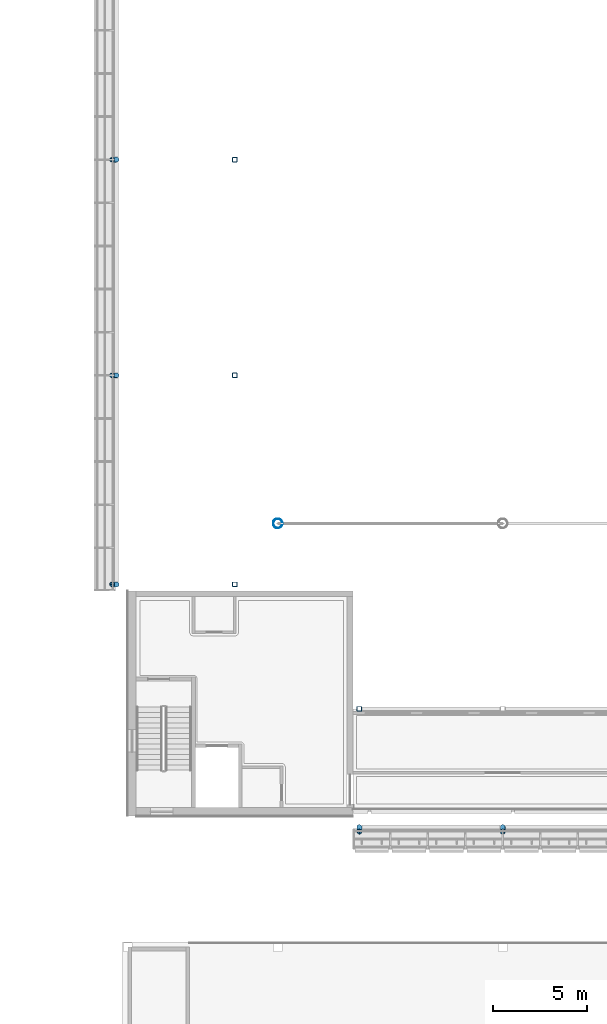
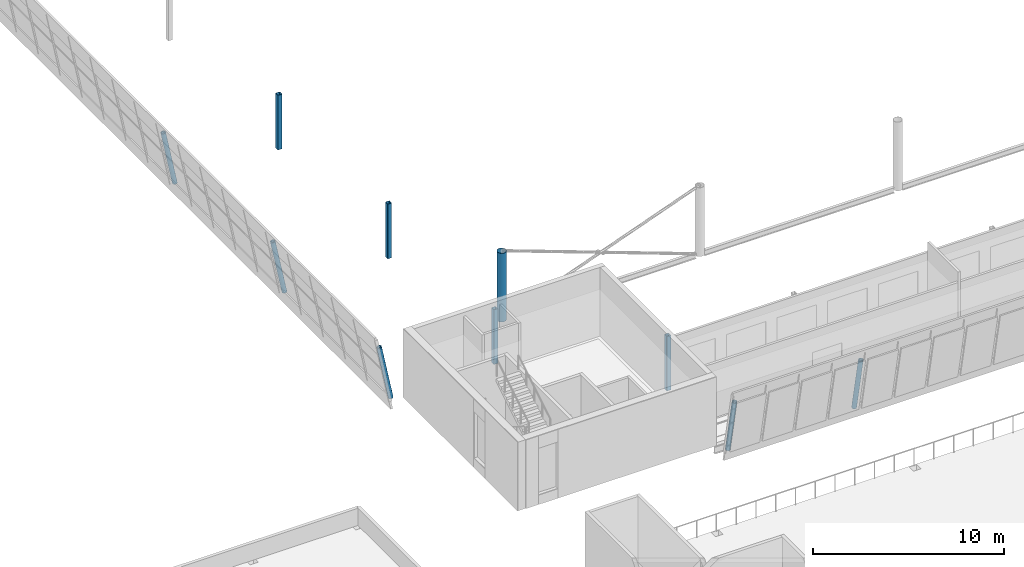
# One storey, part 1 of 95: 10 columns.
"""IFC4 building model written with IfcOpenShell, lengths in metres."""

from ifc_helpers import new_model, si_unit, direction, frame, origin, origin_2d, place, context, subcontext, project, spatial, hollow_rectangle, hollow_circle, extrude, material, material_profile, profile_set, type_object, element, save


model = new_model("IFC4")

# Units and contexts
model_context = context("Model", 3, precision=1e-05, world=origin(), true_north=direction((0.0, 1.0)))
body_context = subcontext(model_context, "Body", "Model", "MODEL_VIEW")
ifc_project = project(units=[si_unit("LENGTHUNIT", "METRE"), si_unit("AREAUNIT", "SQUARE_METRE"), si_unit("VOLUMEUNIT", "CUBIC_METRE"), si_unit("PLANEANGLEUNIT", "RADIAN"), si_unit("MASSUNIT", "GRAM", prefix="KILO")], contexts=[model_context])

# Site, building, storey
site_placement = place(None, origin())
site = spatial("IfcSite", under=ifc_project, at=site_placement, CompositionType="ELEMENT")
building_placement = place(site_placement, origin())
building = spatial("IfcBuilding", under=site, at=building_placement, Name="Windward Yard Aquatics Centre", CompositionType="ELEMENT")
storey_placement = place(building_placement, frame((0.0, 0.0, 9.39990234375)))
storey = spatial("IfcBuildingStorey", under=building, at=storey_placement, Name="L02", CompositionType="ELEMENT", Elevation=9.39990234375)

# Columns
ifc_material = material(Name="Steel ASTM A500 Gr C", Category="steel")
ifc_material_profile_1 = material_profile(ifc_material, hollow_circle(Radius=0.25390625, WallThickness=0.015869140625, at=origin_2d()), Name="HSS508X15.9")
ifc_profile_set_1 = profile_set([ifc_material_profile_1], Name="Steel ASTM A500 Gr C")
column_type_1 = type_object("IfcColumnType", Name="H arch column HSS508X15.9", PredefinedType="COLUMN", material=ifc_profile_set_1)
column_placement = place(storey_placement, frame((60.0, 41.60009765625, 0.0), z_axis=(0.0, 0.0, 1.0), x_axis=(1.0, 0.0, 0.0)))
element("IfcColumn", 1, at=column_placement, inside=storey, type_object=column_type_1, Name="H.AC.S1.L02", PredefinedType="COLUMN", context=body_context, shape_type="SweptSolid", body=[
    extrude(hollow_circle(Radius=0.25390625, WallThickness=0.015869140625, at=origin_2d()), origin(), (0.0, 0.0, 1.0), 4.400146484375),
])
ifc_material_profile_2 = material_profile(ifc_material, hollow_rectangle(XDim=0.25390625, YDim=0.25390625, WallThickness=0.015869140625, InnerFilletRadius=0.008056640625, OuterFilletRadius=0.02392578125, at=origin_2d()), Name="HSS254X254X15.9")
ifc_profile_set_2 = profile_set([ifc_material_profile_2], Name="Steel ASTM A500 Gr C")
column_type_2 = type_object("IfcColumnType", Name="H inner column HSS254X254X15.9", PredefinedType="COLUMN", material=ifc_profile_set_2)
for number, where, z_axis, x_axis, name in (
    (2, (64.35009765625, 31.709716796875, 0.0), (0.0, 0.0, 1.0), (1.0, 0.0, 0.0), "H.IC.S1.L02"),
    (3, (57.709716796875, 38.35009765625, 0.0), (0.0, 0.0, 1.0), (1.0, 0.0, 0.0), "H.IC.W1.L02"),
    (4, (57.709716796875, 49.5, 0.0), (0.0, 0.0, 1.0), (1.0, 0.0, 0.0), "H.IC.W2.L02"),
    (5, (57.709716796875, 61.0, 0.0), (0.0, 0.0, 1.0), (1.0, 0.0, 0.0), "H.IC.W3.L02"),
):
    element("IfcColumn", number, at=place(storey_placement, frame(where, z_axis=z_axis, x_axis=x_axis)), inside=storey, type_object=column_type_2, Name=name, PredefinedType="COLUMN", context=body_context, shape_type="SweptSolid", body=[
        extrude(hollow_rectangle(XDim=0.25390625, YDim=0.25390625, WallThickness=0.015869140625, InnerFilletRadius=0.008056640625, OuterFilletRadius=0.02392578125, at=origin_2d()), origin(), (0.0, 0.0, 1.0), 3.49609375),
    ])
ifc_material_profile_3 = material_profile(ifc_material, hollow_circle(Radius=0.136474609375, WallThickness=0.0126953125, at=origin_2d()), Name="HSS273.1X12.7")
ifc_profile_set_3 = profile_set([ifc_material_profile_3], Name="Steel ASTM A500 Gr C")
column_type_3 = type_object("IfcColumnType", Name="H tier 1 leg HSS273.1X12.7", PredefinedType="COLUMN", material=ifc_profile_set_3)
for number, where, z_axis, x_axis, name in (
    (6, (64.35009765625, 25.40478515625, 0.0), (0.0, -0.19937762145, 0.979922733722), (1.0, 0.0, 0.0), "H.TL.S1.T1B.L02"),
    (7, (72.0, 25.40478515625, 0.0), (0.0, -0.19937762145, 0.979922733722), (1.0, 0.0, 0.0), "H.TL.S2.T1B.L02"),
    (8, (51.40478515625, 38.35009765625, 0.0), (-0.19937762145, 0.0, 0.979922733722), (0.0, -1.0, 0.0), "H.TL.W1.T1B.L02"),
    (9, (51.40478515625, 49.5, 0.0), (-0.19937762145, 0.0, 0.979922733722), (0.0, -1.0, 0.0), "H.TL.W2.T1B.L02"),
    (10, (51.40478515625, 61.0, 0.0), (-0.19937762145, 0.0, 0.979922733722), (0.0, -1.0, 0.0), "H.TL.W3.T1B.L02"),
):
    element("IfcColumn", number, at=place(storey_placement, frame(where, z_axis=z_axis, x_axis=x_axis)), inside=storey, type_object=column_type_3, Name=name, PredefinedType="COLUMN", context=body_context, shape_type="SweptSolid", body=[
        extrude(hollow_circle(Radius=0.136474609375, WallThickness=0.0126953125, at=origin_2d()), origin(), (0.0, 0.0, 1.0), 3.5400390625),
    ])

save(model, "model.ifc")
